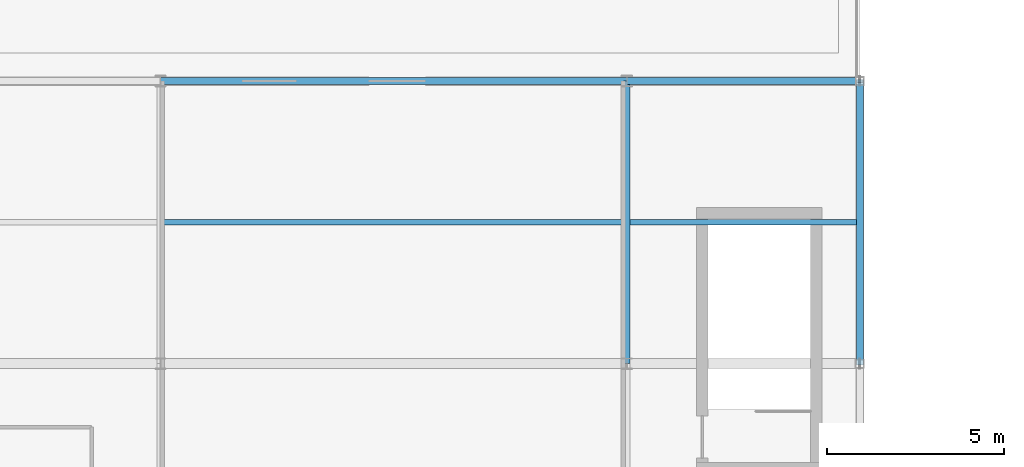
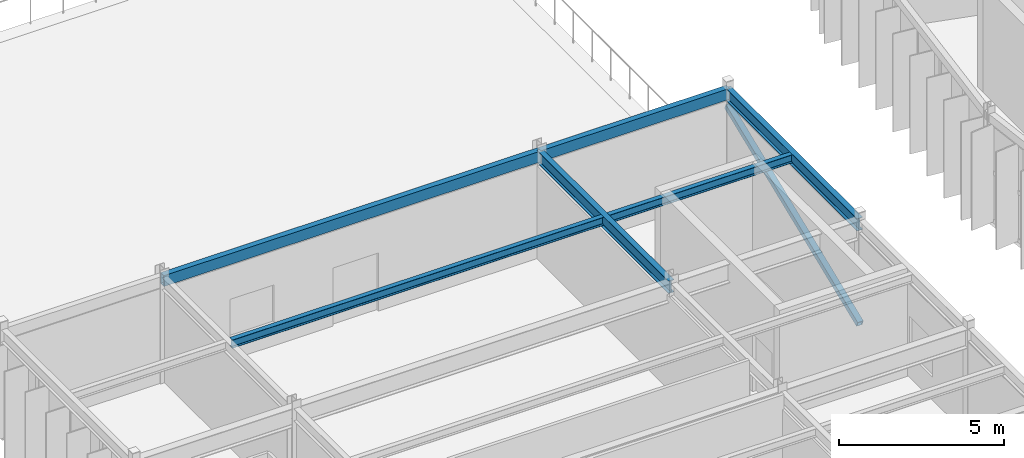
# One storey, part 34 of 130: 6 beams, 1 member.
"""IFC4 building model written with IfcOpenShell, lengths in metres."""

from ifc_helpers import new_model, si_unit, direction, frame, origin, origin_2d, place, context, subcontext, project, spatial, hollow_rectangle, i_section, extrude, material, material_profile, profile_set, type_object, element, save


model = new_model("IFC4")

# Units and contexts
model_context = context("Model", 3, precision=1e-05, world=origin(), true_north=direction((0.0, 1.0)))
body_context = subcontext(model_context, "Body", "Model", "MODEL_VIEW")
ifc_project = project(units=[si_unit("LENGTHUNIT", "METRE"), si_unit("AREAUNIT", "SQUARE_METRE"), si_unit("VOLUMEUNIT", "CUBIC_METRE"), si_unit("PLANEANGLEUNIT", "RADIAN"), si_unit("MASSUNIT", "GRAM", prefix="KILO")], contexts=[model_context])

# Site, building, storey
site_placement = place(None, origin())
site = spatial("IfcSite", under=ifc_project, at=site_placement, CompositionType="ELEMENT")
building_placement = place(site_placement, origin())
building = spatial("IfcBuilding", under=site, at=building_placement, Name="Karori Crest Natural Sciences Institute", CompositionType="ELEMENT")
storey_placement = place(building_placement, frame((0.0, 0.0, 17.5)))
storey = spatial("IfcBuildingStorey", under=building, at=storey_placement, Name="L04", CompositionType="ELEMENT", Elevation=17.5)

# Beams
ifc_material_1 = material(Name="Structural steel AS/NZS 3679.1 Grade 350", Category="steel")
ifc_material_profile_1 = material_profile(ifc_material_1, i_section(OverallWidth=0.19091796875, OverallDepth=0.4599609375, WebThickness=0.010009765625, FlangeThickness=0.01611328125, FilletRadius=0.010986328125, at=origin_2d()), Name="460UB82.1")
ifc_profile_set_1 = profile_set([ifc_material_profile_1], Name="Structural steel AS/NZS 3679.1 Grade 350")
beam_type_1 = type_object("IfcBeamType", Name="BT-06", PredefinedType="BEAM", material=ifc_profile_set_1)
beam_1_placement = place(storey_placement, frame((20.60009765625, 47.0, 3.68994140625), z_axis=(0.0, 1.0, 0.0), x_axis=(-1.0, 0.0, 0.0)))
element("IfcBeam", 1, at=beam_1_placement, inside=storey, type_object=beam_type_1, Name="Beam B-1233", PredefinedType="BEAM", context=body_context, shape_type="SweptSolid", body=[
    extrude(i_section(OverallWidth=0.19091796875, OverallDepth=0.4599609375, WebThickness=0.010009765625, FlangeThickness=0.01611328125, FilletRadius=0.010986328125, at=origin_2d()), origin(), (0.0, 0.0, 1.0), 8.0),
])
ifc_material_profile_2 = material_profile(ifc_material_1, i_section(OverallWidth=0.19091796875, OverallDepth=0.4599609375, WebThickness=0.010009765625, FlangeThickness=0.01611328125, FilletRadius=0.010986328125, at=origin_2d()), Name="460UB82.1")
ifc_profile_set_2 = profile_set([ifc_material_profile_2], Name="Structural steel AS/NZS 3679.1 Grade 350")
beam_type_2 = type_object("IfcBeamType", Name="BT-06-EL", PredefinedType="BEAM", material=ifc_profile_set_2)
beam_2_placement = place(storey_placement, frame((27.199951171875, 47.0, 3.68994140625), z_axis=(0.0, 1.0, 0.0), x_axis=(-1.0, 0.0, 0.0)))
element("IfcBeam", 2, at=beam_2_placement, inside=storey, type_object=beam_type_2, Name="Beam B-1237", PredefinedType="BEAM", context=body_context, shape_type="SweptSolid", body=[
    extrude(i_section(OverallWidth=0.19091796875, OverallDepth=0.4599609375, WebThickness=0.010009765625, FlangeThickness=0.01611328125, FilletRadius=0.010986328125, at=origin_2d()), origin(), (0.0, 0.0, 1.0), 8.0),
])
ifc_material_profile_3 = material_profile(ifc_material_1, i_section(OverallWidth=0.166015625, OverallDepth=0.306884765625, WebThickness=0.006591796875, FlangeThickness=0.01171875, FilletRadius=0.010986328125, at=origin_2d()), Name="310UB46.2")
ifc_profile_set_3 = profile_set([ifc_material_profile_3], Name="Structural steel AS/NZS 3679.1 Grade 350")
beam_type_3 = type_object("IfcBeamType", Name="BT-09", PredefinedType="BEAM", material=ifc_profile_set_3)
beam_3_placement = place(storey_placement, frame((7.49560546875, 51.0, 3.7666015625), z_axis=(1.0, 0.0, 0.0), x_axis=(0.0, 1.0, 0.0)))
element("IfcBeam", 3, at=beam_3_placement, inside=storey, type_object=beam_type_3, Name="Beam B-1245", PredefinedType="BEAM", context=body_context, shape_type="SweptSolid", body=[
    extrude(i_section(OverallWidth=0.166015625, OverallDepth=0.306884765625, WebThickness=0.006591796875, FlangeThickness=0.01171875, FilletRadius=0.010986328125, at=origin_2d()), origin(), (0.0, 0.0, 1.0), 13.0087890625),
])
beam_4_placement = place(storey_placement, frame((20.695556640625, 51.0, 3.7666015625), z_axis=(1.0, 0.0, 0.0), x_axis=(0.0, 1.0, 0.0)))
element("IfcBeam", 4, at=beam_4_placement, inside=storey, type_object=beam_type_3, Name="Beam B-1249", PredefinedType="BEAM", context=body_context, shape_type="SweptSolid", body=[
    extrude(i_section(OverallWidth=0.166015625, OverallDepth=0.306884765625, WebThickness=0.006591796875, FlangeThickness=0.01171875, FilletRadius=0.010986328125, at=origin_2d()), origin(), (0.0, 0.0, 1.0), 6.408935546875),
])
ifc_material_2 = material(Name="Hollow structural steel AS/NZS 1163 Grade C350", Category="steel")
ifc_material_profile_4 = material_profile(ifc_material_2, hollow_rectangle(XDim=0.199951171875, YDim=0.39990234375, WallThickness=0.012451171875, at=origin_2d()), Name="RHS400x200x12.5")
ifc_profile_set_4 = profile_set([ifc_material_profile_4], Name="Hollow structural steel AS/NZS 1163 Grade C350")
beam_type_4 = type_object("IfcBeamType", Name="BT-14", PredefinedType="SPANDREL", material=ifc_profile_set_4)
beam_5_placement = place(storey_placement, frame((7.39990234375, 55.0, 3.719970703125), z_axis=(1.0, 0.0, 0.0), x_axis=(0.0, 1.0, 0.0)))
element("IfcBeam", 5, at=beam_5_placement, inside=storey, type_object=beam_type_4, Name="Beam B-1220", PredefinedType="SPANDREL", context=body_context, shape_type="SweptSolid", body=[
    extrude(hollow_rectangle(XDim=0.199951171875, YDim=0.39990234375, WallThickness=0.012451171875, at=origin_2d()), origin(), (0.0, 0.0, 1.0), 13.2001953125),
])
beam_6_placement = place(storey_placement, frame((20.60009765625, 55.0, 3.719970703125), z_axis=(1.0, 0.0, 0.0), x_axis=(0.0, 1.0, 0.0)))
element("IfcBeam", 6, at=beam_6_placement, inside=storey, type_object=beam_type_4, Name="Beam B-1221", PredefinedType="SPANDREL", context=body_context, shape_type="SweptSolid", body=[
    extrude(hollow_rectangle(XDim=0.199951171875, YDim=0.39990234375, WallThickness=0.012451171875, at=origin_2d()), origin(), (0.0, 0.0, 1.0), 6.599853515625),
])

# Member
ifc_material_profile_5 = material_profile(ifc_material_2, hollow_rectangle(XDim=0.199951171875, YDim=0.199951171875, WallThickness=0.010009765625, at=origin_2d()), Name="SHS200x200x10")
ifc_profile_set_5 = profile_set([ifc_material_profile_5], Name="Hollow structural steel AS/NZS 1163 Grade C350")
member_type = type_object("IfcMemberType", Name="MT-04", PredefinedType="BRACE", material=ifc_profile_set_5)
member_placement = place(storey_placement, frame((27.199951171875, 47.0, 0.010009765625), z_axis=(0.0, 0.927675995403, 0.373386190899), x_axis=(-1.0, 0.0, 0.0)))
element("IfcMember", 7, at=member_placement, inside=storey, type_object=member_type, Name="Diagonal Brace M-0502", PredefinedType="BRACE", context=body_context, shape_type="SweptSolid", body=[
    extrude(hollow_rectangle(XDim=0.199951171875, YDim=0.199951171875, WallThickness=0.010009765625, at=origin_2d()), origin(), (0.0, 0.0, 1.0), 8.623779296875),
])

save(model, "model.ifc")
